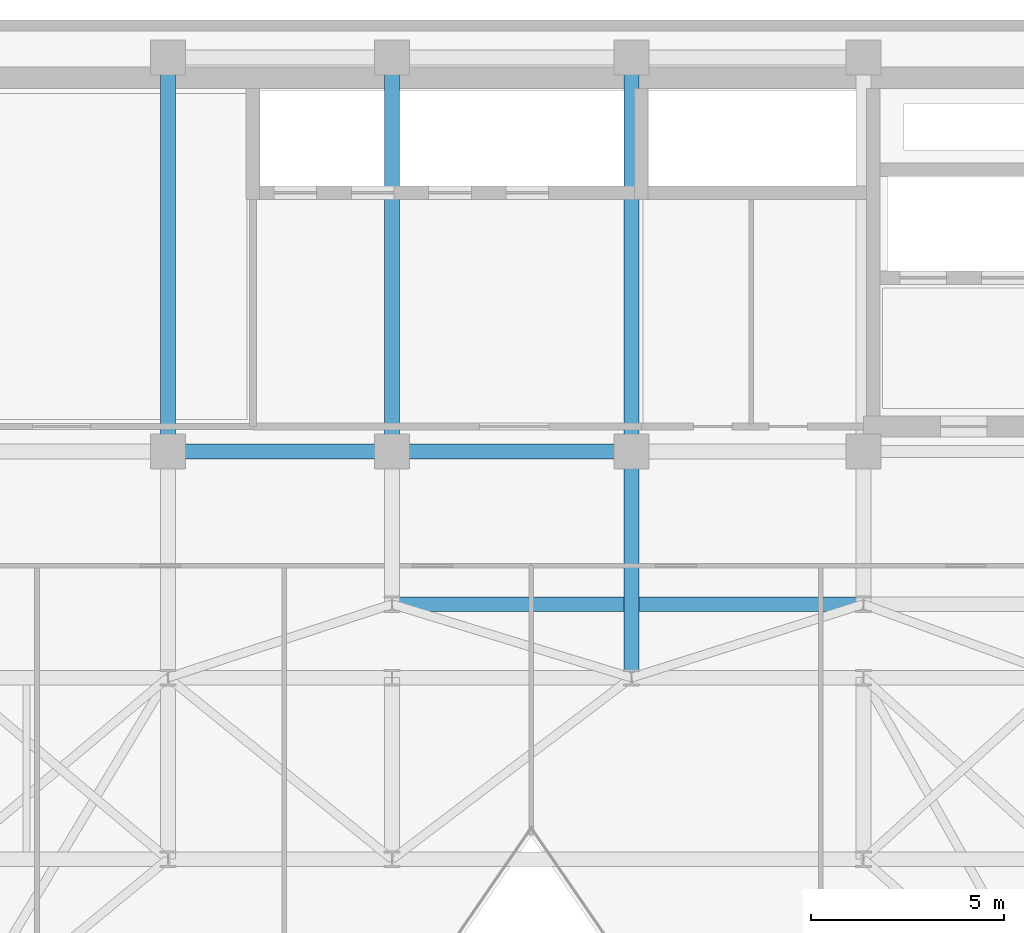
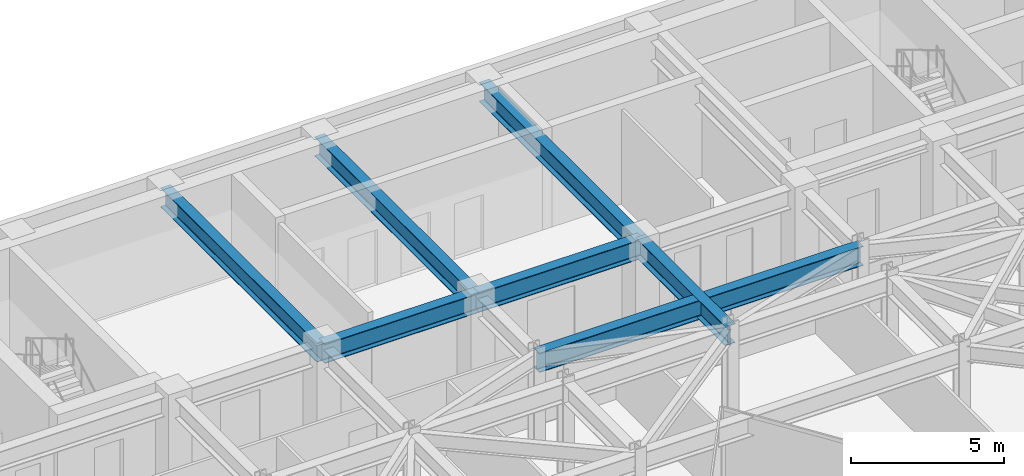
# One storey, part 9 of 21: 7 beams.
"""IFC4 building model written with IfcOpenShell, lengths in metres."""

from ifc_helpers import new_model, si_unit, direction, frame, origin, origin_2d, place, context, subcontext, project, spatial, i_section, extrude, material, material_profile, profile_set, type_object, element, save


model = new_model("IFC4")

# Units and contexts
model_context = context("Model", 3, precision=1e-05, world=origin(), true_north=direction((0.0, 1.0)))
body_context = subcontext(model_context, "Body", "Model", "MODEL_VIEW")
ifc_project = project(units=[si_unit("LENGTHUNIT", "METRE"), si_unit("AREAUNIT", "SQUARE_METRE"), si_unit("VOLUMEUNIT", "CUBIC_METRE"), si_unit("PLANEANGLEUNIT", "RADIAN"), si_unit("MASSUNIT", "GRAM", prefix="KILO")], contexts=[model_context])

# Site, building, storey
site_placement = place(None, origin())
site = spatial("IfcSite", under=ifc_project, at=site_placement, CompositionType="ELEMENT")
building_placement = place(site_placement, origin())
building = spatial("IfcBuilding", under=site, at=building_placement, Name="Kravanh Interchange Tower", CompositionType="ELEMENT")
storey_placement = place(building_placement, frame((0.0, 0.0, 184.5)))
storey = spatial("IfcBuildingStorey", under=building, at=storey_placement, Name="L44", CompositionType="ELEMENT", Elevation=184.5)

# Beams
ifc_material = material(Name="Structural Steel S355", Category="steel")
ifc_material_profile = material_profile(ifc_material, i_section(OverallWidth=0.381103515625, OverallDepth=0.77294921875, WebThickness=0.0166015625, FlangeThickness=0.027099609375, FilletRadius=0.02490234375, at=origin_2d()), Name="W30X173")
ifc_profile_set = profile_set([ifc_material_profile], Name="Structural Steel S355")
beam_type = type_object("IfcBeamType", Name="Floor Beam W30X173 Structural Steel S355", PredefinedType="BEAM", material=ifc_profile_set)
beam_1_placement = place(storey_placement, frame((44.800048828125, 37.35009765625, 3.368408203125), z_axis=(0.0, -1.0, 0.0), x_axis=(1.0, 0.0, 0.0)))
element("IfcBeam", 1, at=beam_1_placement, inside=storey, type_object=beam_type, Name="L44 Primary Floor Girder 12", PredefinedType="BEAM", context=body_context, shape_type="SweptSolid", body=[
    extrude(i_section(OverallWidth=0.381103515625, OverallDepth=0.77294921875, WebThickness=0.0166015625, FlangeThickness=0.027099609375, FilletRadius=0.02490234375, at=origin_2d()), origin(), (0.0, 0.0, 1.0), 5.85009765625),
])
beam_2_placement = place(storey_placement, frame((44.800048828125, 37.35009765625, 3.368408203125), z_axis=(-1.0, 0.0, 0.0), x_axis=(0.0, -1.0, 0.0)))
element("IfcBeam", 2, at=beam_2_placement, inside=storey, type_object=beam_type, Name="L44 Primary Floor Girder 13", PredefinedType="BEAM", context=body_context, shape_type="SweptSolid", body=[
    extrude(i_section(OverallWidth=0.381103515625, OverallDepth=0.77294921875, WebThickness=0.0166015625, FlangeThickness=0.027099609375, FilletRadius=0.02490234375, at=origin_2d()), origin(), (0.0, 0.0, 1.0), 6.199951171875),
])
beam_3_placement = place(storey_placement, frame((44.800048828125, 37.35009765625, 3.368408203125), z_axis=(0.0, 1.0, 0.0), x_axis=(-1.0, 0.0, 0.0)))
element("IfcBeam", 3, at=beam_3_placement, inside=storey, type_object=beam_type, Name="L44 Primary Floor Girder 14", PredefinedType="BEAM", context=body_context, shape_type="SweptSolid", body=[
    extrude(i_section(OverallWidth=0.381103515625, OverallDepth=0.77294921875, WebThickness=0.0166015625, FlangeThickness=0.027099609375, FilletRadius=0.02490234375, at=origin_2d()), origin(), (0.0, 0.0, 1.0), 10.199951171875),
])
beam_4_placement = place(storey_placement, frame((38.60009765625, 37.35009765625, 3.368408203125), z_axis=(-1.0, 0.0, 0.0), x_axis=(0.0, -1.0, 0.0)))
element("IfcBeam", 4, at=beam_4_placement, inside=storey, type_object=beam_type, Name="L44 Primary Floor Girder 17", PredefinedType="BEAM", context=body_context, shape_type="SweptSolid", body=[
    extrude(i_section(OverallWidth=0.381103515625, OverallDepth=0.77294921875, WebThickness=0.0166015625, FlangeThickness=0.027099609375, FilletRadius=0.02490234375, at=origin_2d()), origin(), (0.0, 0.0, 1.0), 5.800048828125),
])
for number, where, z_axis, x_axis, name in (
    (5, (38.60009765625, 37.35009765625, 3.368408203125), (0.0, 1.0, 0.0), (-1.0, 0.0, 0.0), "L44 Primary Floor Girder 18"),
    (6, (32.800048828125, 37.35009765625, 3.368408203125), (0.0, 1.0, 0.0), (-1.0, 0.0, 0.0), "L44 Primary Floor Girder 22"),
):
    element("IfcBeam", number, at=place(storey_placement, frame(where, z_axis=z_axis, x_axis=x_axis)), inside=storey, type_object=beam_type, Name=name, PredefinedType="BEAM", context=body_context, shape_type="SweptSolid", body=[
        extrude(i_section(OverallWidth=0.381103515625, OverallDepth=0.77294921875, WebThickness=0.0166015625, FlangeThickness=0.027099609375, FilletRadius=0.02490234375, at=origin_2d()), origin(), (0.0, 0.0, 1.0), 10.199951171875),
    ])
beam_5_placement = place(storey_placement, frame((38.60009765625, 33.39990234375, 3.368408203125), z_axis=(1.0, 0.0, 0.0), x_axis=(0.0, 1.0, 0.0)))
element("IfcBeam", 7, at=beam_5_placement, inside=storey, type_object=beam_type, Name="L44 Primary Floor Girder 94", PredefinedType="BEAM", context=body_context, shape_type="SweptSolid", body=[
    extrude(i_section(OverallWidth=0.381103515625, OverallDepth=0.77294921875, WebThickness=0.0166015625, FlangeThickness=0.027099609375, FilletRadius=0.02490234375, at=origin_2d()), origin(), (0.0, 0.0, 1.0), 12.199951171875),
])

save(model, "model.ifc")
